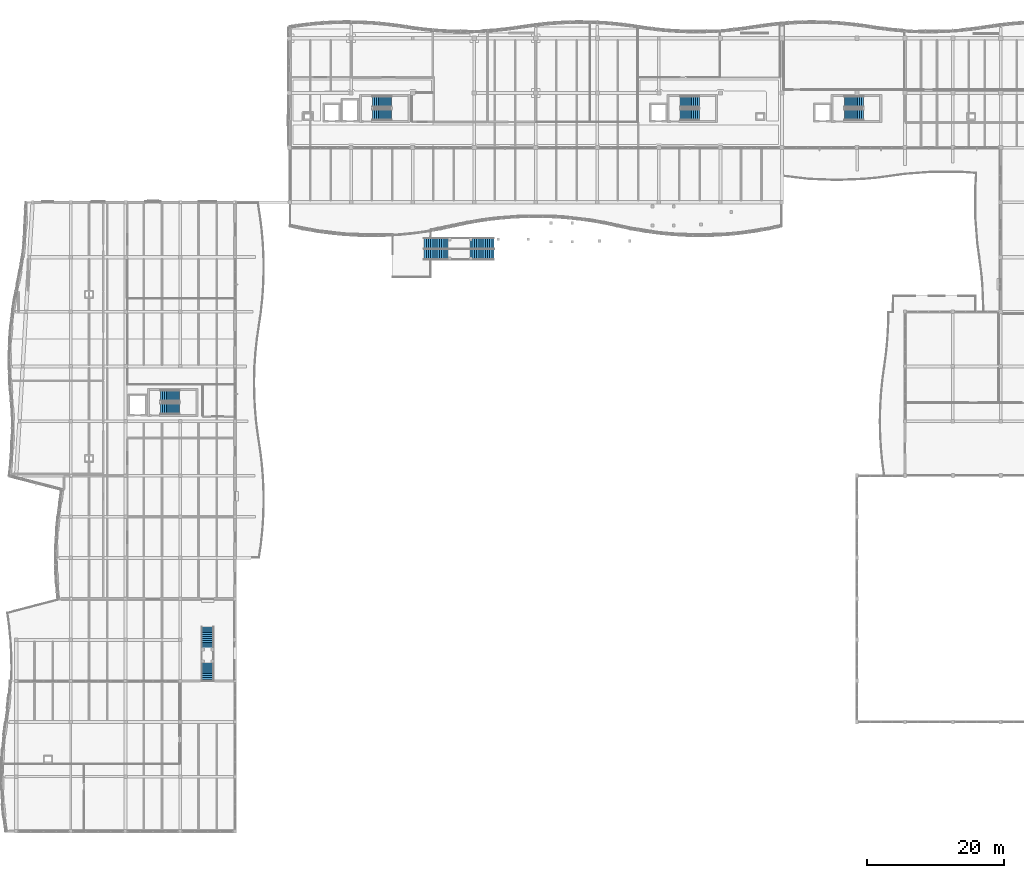
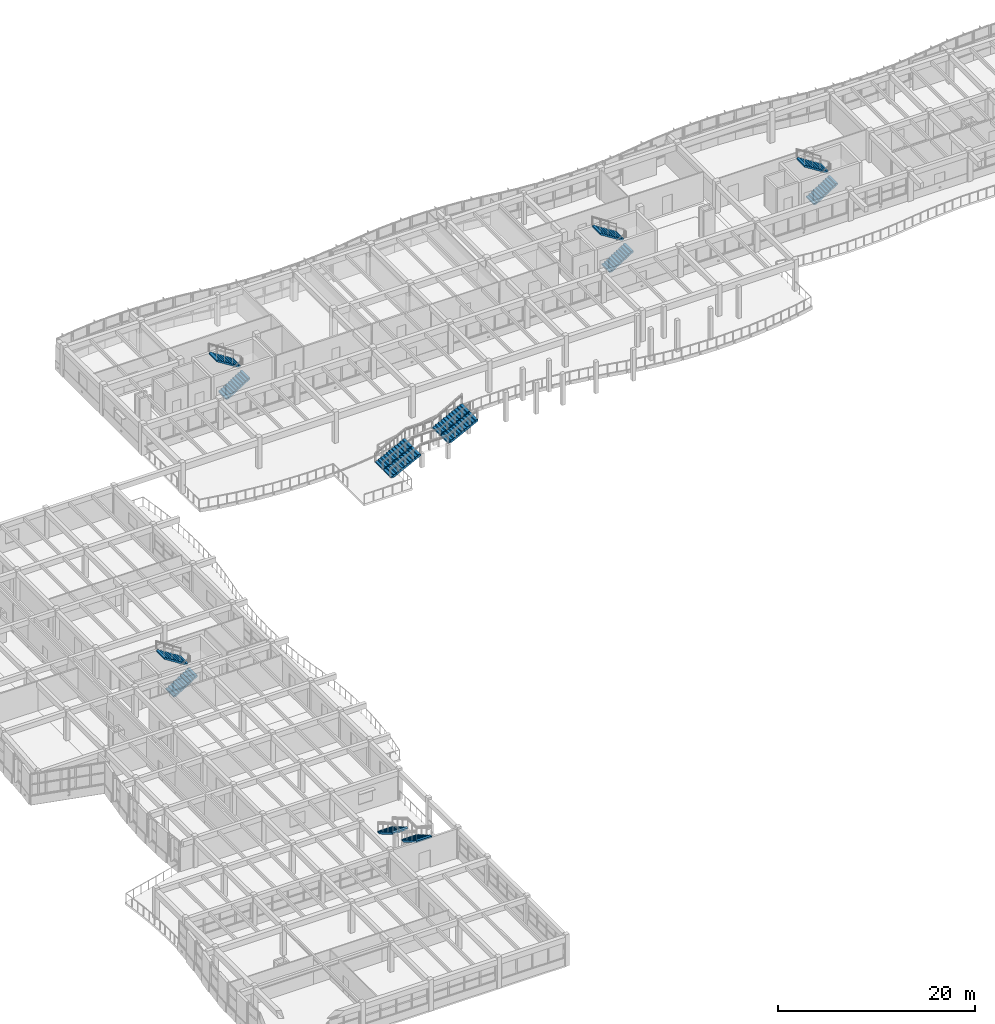
# One storey, part 66 of 89: 14 stair flights, 6 elements without a shape of their own.
"""IFC4 building model written with IfcOpenShell, lengths in metres."""

from ifc_helpers import new_model, si_unit, direction, frame, origin, place, context, subcontext, project, spatial, polyline, outline, extrude, material, type_object, element, aggregate, save


model = new_model("IFC4")

# Units and contexts
model_context = context("Model", 3, precision=1e-05, world=origin(), true_north=direction((0.0, 1.0)))
body_context = subcontext(model_context, "Body", "Model", "MODEL_VIEW")
ifc_project = project(units=[si_unit("LENGTHUNIT", "METRE"), si_unit("AREAUNIT", "SQUARE_METRE"), si_unit("VOLUMEUNIT", "CUBIC_METRE"), si_unit("PLANEANGLEUNIT", "RADIAN"), si_unit("MASSUNIT", "GRAM", prefix="KILO")], contexts=[model_context])

# Site, building, storey
site_placement = place(None, origin())
site = spatial("IfcSite", under=ifc_project, at=site_placement, CompositionType="ELEMENT")
building_placement = place(site_placement, origin())
building = spatial("IfcBuilding", under=site, at=building_placement, Name="Tonlespit Floodbar School", CompositionType="ELEMENT")
storey_placement = place(building_placement, frame((0.0, 0.0, 4.5)))
storey = spatial("IfcBuildingStorey", under=building, at=storey_placement, Name="L01", CompositionType="ELEMENT", Elevation=4.5)

# Stair, stair flights
ifc_material_1 = material(Name="Concrete C40/50", Category="concrete")
stair_type_1 = type_object("IfcStairType", Name="Stair_Core_Upper", PredefinedType="HALF_TURN_STAIR", material=ifc_material_1)
stair_1_placement = place(storey_placement, origin())
stair_1 = element("IfcStair", 1, at=stair_1_placement, inside=storey, type_object=stair_type_1, Name="L01 Core C1 escape stair", PredefinedType="HALF_TURN_STAIR")
stair_flight_type_1 = type_object("IfcStairFlightType", Name="Flight_Core_Upper", PredefinedType="STRAIGHT", material=ifc_material_1)
stair_flight_1_placement = place(storey_placement, frame((56.1201171875, 108.81005859375, 0.0), z_axis=(0.0, 0.0, 1.0), x_axis=(1.0, 0.0, 0.0)))
stair_flight_1 = element("IfcStairFlight", 2, at=stair_flight_1_placement, type_object=stair_flight_type_1, Name="ST-C1 flight 1", NumberOfRisers=11, NumberOfTreads=10, PredefinedType="STRAIGHT", RiserHeight=0.177272727, TreadLength=0.28, context=body_context, shape_type="SweptSolid", body=[
    extrude(outline(polyline([(0.0, 0.0), (0.0, 0.17724609375), (0.280029296875, 0.17724609375), (0.280029296875, 0.3544921875), (0.56005859375, 0.3544921875), (0.56005859375, 0.53173828125), (0.840087890625, 0.53173828125), (0.840087890625, 0.708984375), (1.1201171875, 0.708984375), (1.1201171875, 0.886474609375), (1.39990234375, 0.886474609375), (1.39990234375, 1.063720703125), (1.679931640625, 1.063720703125), (1.679931640625, 1.240966796875), (1.9599609375, 1.240966796875), (1.9599609375, 1.418212890625), (2.239990234375, 1.418212890625), (2.239990234375, 1.595458984375), (2.52001953125, 1.595458984375), (2.52001953125, 1.772705078125), (2.800048828125, 1.772705078125), (2.800048828125, 1.949951171875), (2.800048828125, 1.59521484375), (0.2802734375, 0.0), (0.0, 0.0)])), frame((0.0, 0.81005859375, 0.0), z_axis=(0.0, -1.0, 0.0), x_axis=(1.0, 0.0, 0.0)), (0.0, 0.0, 1.0), 1.6201171875),
])
stair_flight_2_placement = place(storey_placement, frame((58.919921875, 110.72998046875, 1.949951171875), z_axis=(0.0, 0.0, 1.0), x_axis=(-1.0, 0.0, 0.0)))
stair_flight_2 = element("IfcStairFlight", 3, at=stair_flight_2_placement, type_object=stair_flight_type_1, Name="ST-C1 flight 2", NumberOfRisers=11, NumberOfTreads=10, PredefinedType="STRAIGHT", RiserHeight=0.177272727, TreadLength=0.28, context=body_context, shape_type="SweptSolid", body=[
    extrude(outline(polyline([(0.0, 0.0), (0.0, 0.17724609375), (0.280029296875, 0.17724609375), (0.280029296875, 0.3544921875), (0.56005859375, 0.3544921875), (0.56005859375, 0.53173828125), (0.840087890625, 0.53173828125), (0.840087890625, 0.708984375), (1.1201171875, 0.708984375), (1.1201171875, 0.886474609375), (1.39990234375, 0.886474609375), (1.39990234375, 1.063720703125), (1.679931640625, 1.063720703125), (1.679931640625, 1.240966796875), (1.9599609375, 1.240966796875), (1.9599609375, 1.418212890625), (2.239990234375, 1.418212890625), (2.239990234375, 1.595458984375), (2.52001953125, 1.595458984375), (2.52001953125, 1.772705078125), (2.800048828125, 1.772705078125), (2.800048828125, 1.949951171875), (2.800048828125, 1.59521484375), (0.2802734375, 0.0), (0.0, 0.0)])), frame((0.0, 0.81005859375, 0.0), z_axis=(0.0, -1.0, 0.0), x_axis=(1.0, 0.0, 0.0)), (0.0, 0.0, 1.0), 1.6201171875),
])
aggregate(stair_1, [stair_flight_1, stair_flight_2])

stair_2_placement = place(storey_placement, origin())
stair_2 = element("IfcStair", 4, at=stair_2_placement, inside=storey, type_object=stair_type_1, Name="L01 Core C2 escape stair", PredefinedType="HALF_TURN_STAIR")
stair_flight_3_placement = place(storey_placement, frame((101.1201171875, 108.81005859375, 0.0), z_axis=(0.0, 0.0, 1.0), x_axis=(1.0, 0.0, 0.0)))
stair_flight_3 = element("IfcStairFlight", 5, at=stair_flight_3_placement, type_object=stair_flight_type_1, Name="ST-C2 flight 1", NumberOfRisers=11, NumberOfTreads=10, PredefinedType="STRAIGHT", RiserHeight=0.177272727, TreadLength=0.28, context=body_context, shape_type="SweptSolid", body=[
    extrude(outline(polyline([(0.0, 0.0), (0.0, 0.17724609375), (0.280029296875, 0.17724609375), (0.280029296875, 0.3544921875), (0.56005859375, 0.3544921875), (0.56005859375, 0.53173828125), (0.840087890625, 0.53173828125), (0.840087890625, 0.708984375), (1.1201171875, 0.708984375), (1.1201171875, 0.886474609375), (1.39990234375, 0.886474609375), (1.39990234375, 1.063720703125), (1.679931640625, 1.063720703125), (1.679931640625, 1.240966796875), (1.9599609375, 1.240966796875), (1.9599609375, 1.418212890625), (2.239990234375, 1.418212890625), (2.239990234375, 1.595458984375), (2.52001953125, 1.595458984375), (2.52001953125, 1.772705078125), (2.800048828125, 1.772705078125), (2.800048828125, 1.949951171875), (2.800048828125, 1.59521484375), (0.2802734375, 0.0), (0.0, 0.0)])), frame((0.0, 0.81005859375, 0.0), z_axis=(0.0, -1.0, 0.0), x_axis=(1.0, 0.0, 0.0)), (0.0, 0.0, 1.0), 1.6201171875),
])
stair_flight_4_placement = place(storey_placement, frame((103.919921875, 110.72998046875, 1.949951171875), z_axis=(0.0, 0.0, 1.0), x_axis=(-1.0, 0.0, 0.0)))
stair_flight_4 = element("IfcStairFlight", 6, at=stair_flight_4_placement, type_object=stair_flight_type_1, Name="ST-C2 flight 2", NumberOfRisers=11, NumberOfTreads=10, PredefinedType="STRAIGHT", RiserHeight=0.177272727, TreadLength=0.28, context=body_context, shape_type="SweptSolid", body=[
    extrude(outline(polyline([(0.0, 0.0), (0.0, 0.17724609375), (0.280029296875, 0.17724609375), (0.280029296875, 0.3544921875), (0.56005859375, 0.3544921875), (0.56005859375, 0.53173828125), (0.840087890625, 0.53173828125), (0.840087890625, 0.708984375), (1.1201171875, 0.708984375), (1.1201171875, 0.886474609375), (1.39990234375, 0.886474609375), (1.39990234375, 1.063720703125), (1.679931640625, 1.063720703125), (1.679931640625, 1.240966796875), (1.9599609375, 1.240966796875), (1.9599609375, 1.418212890625), (2.239990234375, 1.418212890625), (2.239990234375, 1.595458984375), (2.52001953125, 1.595458984375), (2.52001953125, 1.772705078125), (2.800048828125, 1.772705078125), (2.800048828125, 1.949951171875), (2.800048828125, 1.59521484375), (0.2802734375, 0.0), (0.0, 0.0)])), frame((0.0, 0.81005859375, 0.0), z_axis=(0.0, -1.0, 0.0), x_axis=(1.0, 0.0, 0.0)), (0.0, 0.0, 1.0), 1.6201171875),
])
aggregate(stair_2, [stair_flight_3, stair_flight_4])

stair_3_placement = place(storey_placement, origin())
stair_3 = element("IfcStair", 7, at=stair_3_placement, inside=storey, type_object=stair_type_1, Name="L01 Core C3 escape stair", PredefinedType="HALF_TURN_STAIR")
stair_flight_5_placement = place(storey_placement, frame((25.1201171875, 65.81005859375, 0.0), z_axis=(0.0, 0.0, 1.0), x_axis=(1.0, 0.0, 0.0)))
stair_flight_5 = element("IfcStairFlight", 8, at=stair_flight_5_placement, type_object=stair_flight_type_1, Name="ST-C3 flight 1", NumberOfRisers=11, NumberOfTreads=10, PredefinedType="STRAIGHT", RiserHeight=0.177272727, TreadLength=0.28, context=body_context, shape_type="SweptSolid", body=[
    extrude(outline(polyline([(0.0, 0.0), (0.0, 0.17724609375), (0.280029296875, 0.17724609375), (0.280029296875, 0.3544921875), (0.56005859375, 0.3544921875), (0.56005859375, 0.53173828125), (0.840087890625, 0.53173828125), (0.840087890625, 0.708984375), (1.1201171875, 0.708984375), (1.1201171875, 0.886474609375), (1.39990234375, 0.886474609375), (1.39990234375, 1.063720703125), (1.679931640625, 1.063720703125), (1.679931640625, 1.240966796875), (1.9599609375, 1.240966796875), (1.9599609375, 1.418212890625), (2.239990234375, 1.418212890625), (2.239990234375, 1.595458984375), (2.52001953125, 1.595458984375), (2.52001953125, 1.772705078125), (2.800048828125, 1.772705078125), (2.800048828125, 1.949951171875), (2.800048828125, 1.59521484375), (0.2802734375, 0.0), (0.0, 0.0)])), frame((0.0, 0.81005859375, 0.0), z_axis=(0.0, -1.0, 0.0), x_axis=(1.0, 0.0, 0.0)), (0.0, 0.0, 1.0), 1.6201171875),
])
stair_flight_6_placement = place(storey_placement, frame((27.919921875, 67.72998046875, 1.949951171875), z_axis=(0.0, 0.0, 1.0), x_axis=(-1.0, 0.0, 0.0)))
stair_flight_6 = element("IfcStairFlight", 9, at=stair_flight_6_placement, type_object=stair_flight_type_1, Name="ST-C3 flight 2", NumberOfRisers=11, NumberOfTreads=10, PredefinedType="STRAIGHT", RiserHeight=0.177272727, TreadLength=0.28, context=body_context, shape_type="SweptSolid", body=[
    extrude(outline(polyline([(0.0, 0.0), (0.0, 0.17724609375), (0.280029296875, 0.17724609375), (0.280029296875, 0.3544921875), (0.56005859375, 0.3544921875), (0.56005859375, 0.53173828125), (0.840087890625, 0.53173828125), (0.840087890625, 0.708984375), (1.1201171875, 0.708984375), (1.1201171875, 0.886474609375), (1.39990234375, 0.886474609375), (1.39990234375, 1.063720703125), (1.679931640625, 1.063720703125), (1.679931640625, 1.240966796875), (1.9599609375, 1.240966796875), (1.9599609375, 1.418212890625), (2.239990234375, 1.418212890625), (2.239990234375, 1.595458984375), (2.52001953125, 1.595458984375), (2.52001953125, 1.772705078125), (2.800048828125, 1.772705078125), (2.800048828125, 1.949951171875), (2.800048828125, 1.59521484375), (0.2802734375, 0.0), (0.0, 0.0)])), frame((0.0, 0.81005859375, 0.0), z_axis=(0.0, -1.0, 0.0), x_axis=(1.0, 0.0, 0.0)), (0.0, 0.0, 1.0), 1.6201171875),
])
aggregate(stair_3, [stair_flight_5, stair_flight_6])

stair_4_placement = place(storey_placement, origin())
stair_4 = element("IfcStair", 10, at=stair_4_placement, inside=storey, type_object=stair_type_1, Name="L01 Core C4 escape stair", PredefinedType="HALF_TURN_STAIR")
stair_flight_7_placement = place(storey_placement, frame((125.1201171875, 108.81005859375, 0.0), z_axis=(0.0, 0.0, 1.0), x_axis=(1.0, 0.0, 0.0)))
stair_flight_7 = element("IfcStairFlight", 11, at=stair_flight_7_placement, type_object=stair_flight_type_1, Name="ST-C4 flight 1", NumberOfRisers=11, NumberOfTreads=10, PredefinedType="STRAIGHT", RiserHeight=0.177272727, TreadLength=0.28, context=body_context, shape_type="SweptSolid", body=[
    extrude(outline(polyline([(0.0, 0.0), (0.0, 0.17724609375), (0.280029296875, 0.17724609375), (0.280029296875, 0.3544921875), (0.56005859375, 0.3544921875), (0.56005859375, 0.53173828125), (0.840087890625, 0.53173828125), (0.840087890625, 0.708984375), (1.1201171875, 0.708984375), (1.1201171875, 0.886474609375), (1.39990234375, 0.886474609375), (1.39990234375, 1.063720703125), (1.679931640625, 1.063720703125), (1.679931640625, 1.240966796875), (1.9599609375, 1.240966796875), (1.9599609375, 1.418212890625), (2.239990234375, 1.418212890625), (2.239990234375, 1.595458984375), (2.52001953125, 1.595458984375), (2.52001953125, 1.772705078125), (2.800048828125, 1.772705078125), (2.800048828125, 1.949951171875), (2.800048828125, 1.59521484375), (0.2802734375, 0.0), (0.0, 0.0)])), frame((0.0, 0.81005859375, 0.0), z_axis=(0.0, -1.0, 0.0), x_axis=(1.0, 0.0, 0.0)), (0.0, 0.0, 1.0), 1.6201171875),
])
stair_flight_8_placement = place(storey_placement, frame((127.919921875, 110.72998046875, 1.949951171875), z_axis=(0.0, 0.0, 1.0), x_axis=(-1.0, 0.0, 0.0)))
stair_flight_8 = element("IfcStairFlight", 12, at=stair_flight_8_placement, type_object=stair_flight_type_1, Name="ST-C4 flight 2", NumberOfRisers=11, NumberOfTreads=10, PredefinedType="STRAIGHT", RiserHeight=0.177272727, TreadLength=0.28, context=body_context, shape_type="SweptSolid", body=[
    extrude(outline(polyline([(0.0, 0.0), (0.0, 0.17724609375), (0.280029296875, 0.17724609375), (0.280029296875, 0.3544921875), (0.56005859375, 0.3544921875), (0.56005859375, 0.53173828125), (0.840087890625, 0.53173828125), (0.840087890625, 0.708984375), (1.1201171875, 0.708984375), (1.1201171875, 0.886474609375), (1.39990234375, 0.886474609375), (1.39990234375, 1.063720703125), (1.679931640625, 1.063720703125), (1.679931640625, 1.240966796875), (1.9599609375, 1.240966796875), (1.9599609375, 1.418212890625), (2.239990234375, 1.418212890625), (2.239990234375, 1.595458984375), (2.52001953125, 1.595458984375), (2.52001953125, 1.772705078125), (2.800048828125, 1.772705078125), (2.800048828125, 1.949951171875), (2.800048828125, 1.59521484375), (0.2802734375, 0.0), (0.0, 0.0)])), frame((0.0, 0.81005859375, 0.0), z_axis=(0.0, -1.0, 0.0), x_axis=(1.0, 0.0, 0.0)), (0.0, 0.0, 1.0), 1.6201171875),
])
aggregate(stair_4, [stair_flight_7, stair_flight_8])

ifc_material_2 = material(Name="White Architectural Precast concrete C40/50", Category="concrete")
stair_type_2 = type_object("IfcStairType", Name="Stair_Court_3200_Upp", PredefinedType="STRAIGHT_RUN_STAIR", material=ifc_material_2)
stair_5_placement = place(storey_placement, origin())
stair_5 = element("IfcStair", 13, at=stair_5_placement, inside=storey, type_object=stair_type_2, Name="L01 stair ST-CT2", PredefinedType="STRAIGHT_RUN_STAIR")
stair_flight_type_2 = type_object("IfcStairFlightType", Name="Flight_Court_1540", PredefinedType="STRAIGHT", material=ifc_material_2)
stair_flight_9_placement = place(storey_placement, frame((63.659912109375, 88.3701171875, 0.0), z_axis=(0.0, 0.0, 1.0), x_axis=(1.0, 0.0, 0.0)))
stair_flight_9 = element("IfcStairFlight", 14, at=stair_flight_9_placement, type_object=stair_flight_type_2, Name="ST-CT2 flight 1", NumberOfRisers=12, NumberOfTreads=11, PredefinedType="STRAIGHT", RiserHeight=0.1625, TreadLength=0.32, context=body_context, shape_type="SweptSolid", body=[
    extrude(outline(polyline([(0.0, 0.0), (0.0, 0.16259765625), (0.320068359375, 0.16259765625), (0.320068359375, 0.324951171875), (0.639892578125, 0.324951171875), (0.639892578125, 0.487548828125), (0.9599609375, 0.487548828125), (0.9599609375, 0.64990234375), (1.280029296875, 0.64990234375), (1.280029296875, 0.8125), (1.60009765625, 0.8125), (1.60009765625, 0.97509765625), (1.919921875, 0.97509765625), (1.919921875, 1.137451171875), (2.239990234375, 1.137451171875), (2.239990234375, 1.300048828125), (2.56005859375, 1.300048828125), (2.56005859375, 1.46240234375), (2.8798828125, 1.46240234375), (2.8798828125, 1.625), (3.199951171875, 1.625), (3.199951171875, 1.78759765625), (3.52001953125, 1.78759765625), (3.52001953125, 1.949951171875), (3.52001953125, 1.563232421875), (0.441650390625, 0.0), (0.0, 0.0)])), frame((0.0, 0.77001953125, 0.0), z_axis=(0.0, -1.0, 0.0), x_axis=(1.0, 0.0, 0.0)), (0.0, 0.0, 1.0), 1.5400390625),
])
stair_flight_10_placement = place(storey_placement, frame((70.3798828125, 88.3701171875, 1.949951171875), z_axis=(0.0, 0.0, 1.0), x_axis=(1.0, 0.0, 0.0)))
stair_flight_10 = element("IfcStairFlight", 15, at=stair_flight_10_placement, type_object=stair_flight_type_2, Name="ST-CT2 flight 2", NumberOfRisers=12, NumberOfTreads=11, PredefinedType="STRAIGHT", RiserHeight=0.1625, TreadLength=0.32, context=body_context, shape_type="SweptSolid", body=[
    extrude(outline(polyline([(0.0, 0.0), (0.0, 0.16259765625), (0.320068359375, 0.16259765625), (0.320068359375, 0.324951171875), (0.639892578125, 0.324951171875), (0.639892578125, 0.487548828125), (0.9599609375, 0.487548828125), (0.9599609375, 0.64990234375), (1.280029296875, 0.64990234375), (1.280029296875, 0.8125), (1.60009765625, 0.8125), (1.60009765625, 0.97509765625), (1.919921875, 0.97509765625), (1.919921875, 1.137451171875), (2.239990234375, 1.137451171875), (2.239990234375, 1.300048828125), (2.56005859375, 1.300048828125), (2.56005859375, 1.46240234375), (2.8798828125, 1.46240234375), (2.8798828125, 1.625), (3.199951171875, 1.625), (3.199951171875, 1.78759765625), (3.52001953125, 1.78759765625), (3.52001953125, 1.949951171875), (3.52001953125, 1.563232421875), (0.441650390625, 0.0), (0.0, 0.0)])), frame((0.0, 0.77001953125, 0.0), z_axis=(0.0, -1.0, 0.0), x_axis=(1.0, 0.0, 0.0)), (0.0, 0.0, 1.0), 1.5400390625),
])
stair_flight_11_placement = place(storey_placement, frame((63.659912109375, 90.030029296875, 0.0), z_axis=(0.0, 0.0, 1.0), x_axis=(1.0, 0.0, 0.0)))
stair_flight_11 = element("IfcStairFlight", 16, at=stair_flight_11_placement, type_object=stair_flight_type_2, Name="ST-CT2 flight 3", NumberOfRisers=12, NumberOfTreads=11, PredefinedType="STRAIGHT", RiserHeight=0.1625, TreadLength=0.32, context=body_context, shape_type="SweptSolid", body=[
    extrude(outline(polyline([(0.0, 0.0), (0.0, 0.16259765625), (0.320068359375, 0.16259765625), (0.320068359375, 0.324951171875), (0.639892578125, 0.324951171875), (0.639892578125, 0.487548828125), (0.9599609375, 0.487548828125), (0.9599609375, 0.64990234375), (1.280029296875, 0.64990234375), (1.280029296875, 0.8125), (1.60009765625, 0.8125), (1.60009765625, 0.97509765625), (1.919921875, 0.97509765625), (1.919921875, 1.137451171875), (2.239990234375, 1.137451171875), (2.239990234375, 1.300048828125), (2.56005859375, 1.300048828125), (2.56005859375, 1.46240234375), (2.8798828125, 1.46240234375), (2.8798828125, 1.625), (3.199951171875, 1.625), (3.199951171875, 1.78759765625), (3.52001953125, 1.78759765625), (3.52001953125, 1.949951171875), (3.52001953125, 1.563232421875), (0.441650390625, 0.0), (0.0, 0.0)])), frame((0.0, 0.77001953125, 0.0), z_axis=(0.0, -1.0, 0.0), x_axis=(1.0, 0.0, 0.0)), (0.0, 0.0, 1.0), 1.5400390625),
])
stair_flight_12_placement = place(storey_placement, frame((70.3798828125, 90.030029296875, 1.949951171875), z_axis=(0.0, 0.0, 1.0), x_axis=(1.0, 0.0, 0.0)))
stair_flight_12 = element("IfcStairFlight", 17, at=stair_flight_12_placement, type_object=stair_flight_type_2, Name="ST-CT2 flight 4", NumberOfRisers=12, NumberOfTreads=11, PredefinedType="STRAIGHT", RiserHeight=0.1625, TreadLength=0.32, context=body_context, shape_type="SweptSolid", body=[
    extrude(outline(polyline([(0.0, 0.0), (0.0, 0.16259765625), (0.320068359375, 0.16259765625), (0.320068359375, 0.324951171875), (0.639892578125, 0.324951171875), (0.639892578125, 0.487548828125), (0.9599609375, 0.487548828125), (0.9599609375, 0.64990234375), (1.280029296875, 0.64990234375), (1.280029296875, 0.8125), (1.60009765625, 0.8125), (1.60009765625, 0.97509765625), (1.919921875, 0.97509765625), (1.919921875, 1.137451171875), (2.239990234375, 1.137451171875), (2.239990234375, 1.300048828125), (2.56005859375, 1.300048828125), (2.56005859375, 1.46240234375), (2.8798828125, 1.46240234375), (2.8798828125, 1.625), (3.199951171875, 1.625), (3.199951171875, 1.78759765625), (3.52001953125, 1.78759765625), (3.52001953125, 1.949951171875), (3.52001953125, 1.563232421875), (0.441650390625, 0.0), (0.0, 0.0)])), frame((0.0, 0.77001953125, 0.0), z_axis=(0.0, -1.0, 0.0), x_axis=(1.0, 0.0, 0.0)), (0.0, 0.0, 1.0), 1.5400390625),
])
aggregate(stair_5, [stair_flight_9, stair_flight_10, stair_flight_11, stair_flight_12])

ifc_material_3 = material(Name="Glulam GL28h", Category="wood")
stair_type_3 = type_object("IfcStairType", Name="Stair_Feature_1800_Upp", PredefinedType="STRAIGHT_RUN_STAIR", material=ifc_material_3)
stair_6_placement = place(storey_placement, origin())
stair_6 = element("IfcStair", 18, at=stair_6_placement, inside=storey, type_object=stair_type_3, Name="L01 stair ST-D2", PredefinedType="STRAIGHT_RUN_STAIR")
stair_flight_type_3 = type_object("IfcStairFlightType", Name="Flight_Feature_1800", PredefinedType="STRAIGHT", material=ifc_material_3)
stair_flight_13_placement = place(storey_placement, frame((32.0, 33.89990234375, 0.0), z_axis=(0.0, 0.0, 1.0), x_axis=(0.0, -1.0, 0.0)))
stair_flight_13 = element("IfcStairFlight", 19, at=stair_flight_13_placement, type_object=stair_flight_type_3, Name="ST-D2 flight 1", NumberOfRisers=12, NumberOfTreads=11, PredefinedType="STRAIGHT", RiserHeight=0.1625, TreadLength=0.28, context=body_context, shape_type="SweptSolid", body=[
    extrude(outline(polyline([(0.0, 0.0), (0.0, 0.16259765625), (0.280029296875, 0.16259765625), (0.280029296875, 0.324951171875), (0.56005859375, 0.324951171875), (0.56005859375, 0.487548828125), (0.840087890625, 0.487548828125), (0.840087890625, 0.64990234375), (1.1201171875, 0.64990234375), (1.1201171875, 0.8125), (1.39990234375, 0.8125), (1.39990234375, 0.97509765625), (1.679931640625, 0.97509765625), (1.679931640625, 1.137451171875), (1.9599609375, 1.137451171875), (1.9599609375, 1.300048828125), (2.239990234375, 1.300048828125), (2.239990234375, 1.46240234375), (2.52001953125, 1.46240234375), (2.52001953125, 1.625), (2.800048828125, 1.625), (2.800048828125, 1.78759765625), (3.080078125, 1.78759765625), (3.080078125, 1.949951171875), (3.080078125, 1.579345703125), (0.3583984375, 0.0), (0.0, 0.0)])), frame((0.0, 0.89990234375, 0.0), z_axis=(0.0, -1.0, 0.0), x_axis=(1.0, 0.0, 0.0)), (0.0, 0.0, 1.0), 1.800048828125),
])
stair_flight_14_placement = place(storey_placement, frame((32.0, 29.02001953125, 1.949951171875), z_axis=(0.0, 0.0, 1.0), x_axis=(0.0, -1.0, 0.0)))
stair_flight_14 = element("IfcStairFlight", 20, at=stair_flight_14_placement, type_object=stair_flight_type_3, Name="ST-D2 flight 2", NumberOfRisers=12, NumberOfTreads=11, PredefinedType="STRAIGHT", RiserHeight=0.1625, TreadLength=0.28, context=body_context, shape_type="SweptSolid", body=[
    extrude(outline(polyline([(0.0, 0.0), (0.0, 0.16259765625), (0.280029296875, 0.16259765625), (0.280029296875, 0.324951171875), (0.56005859375, 0.324951171875), (0.56005859375, 0.487548828125), (0.840087890625, 0.487548828125), (0.840087890625, 0.64990234375), (1.1201171875, 0.64990234375), (1.1201171875, 0.8125), (1.39990234375, 0.8125), (1.39990234375, 0.97509765625), (1.679931640625, 0.97509765625), (1.679931640625, 1.137451171875), (1.9599609375, 1.137451171875), (1.9599609375, 1.300048828125), (2.239990234375, 1.300048828125), (2.239990234375, 1.46240234375), (2.52001953125, 1.46240234375), (2.52001953125, 1.625), (2.800048828125, 1.625), (2.800048828125, 1.78759765625), (3.080078125, 1.78759765625), (3.080078125, 1.949951171875), (3.080078125, 1.579345703125), (0.3583984375, 0.0), (0.0, 0.0)])), frame((0.0, 0.89990234375, 0.0), z_axis=(0.0, -1.0, 0.0), x_axis=(1.0, 0.0, 0.0)), (0.0, 0.0, 1.0), 1.800048828125),
])
aggregate(stair_6, [stair_flight_13, stair_flight_14])

save(model, "model.ifc")
